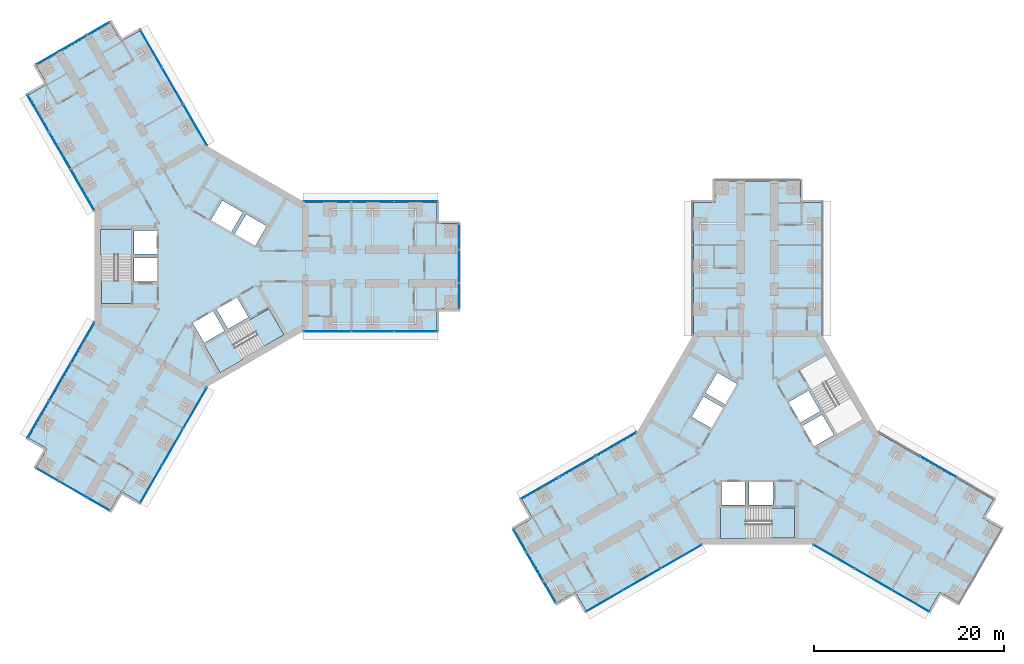
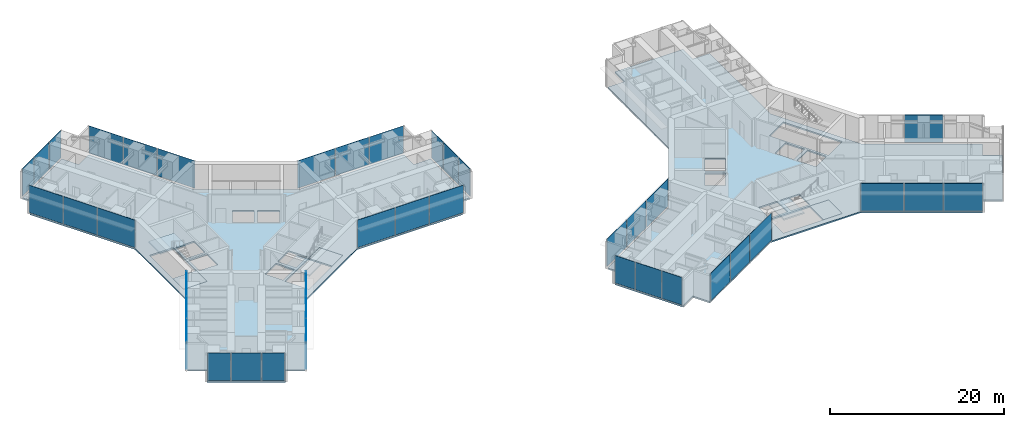
# One storey, part 14 of 24: 40 plates, 8 slabs, 17 elements without a shape of their own.
"""IFC4 building model written with IfcOpenShell, lengths in metres."""

from ifc_helpers import new_model, si_unit, direction, frame, origin, origin_2d, place, context, subcontext, project, spatial, polyline, rectangle, outline, extrude, material, layer, layer_set, type_object, element, aggregate, save


model = new_model("IFC4")

# Units and contexts
model_context = context("Model", 3, precision=1e-05, world=origin(), true_north=direction((0.0, 1.0)))
body_context = subcontext(model_context, "Body", "Model", "MODEL_VIEW")
ifc_project = project(units=[si_unit("LENGTHUNIT", "METRE"), si_unit("AREAUNIT", "SQUARE_METRE"), si_unit("VOLUMEUNIT", "CUBIC_METRE"), si_unit("PLANEANGLEUNIT", "RADIAN"), si_unit("MASSUNIT", "GRAM", prefix="KILO")], contexts=[model_context])

# Site, building, storey
site_placement = place(None, origin())
site = spatial("IfcSite", under=ifc_project, at=site_placement, CompositionType="ELEMENT")
building_placement = place(site_placement, origin())
building = spatial("IfcBuilding", under=site, at=building_placement, Name="Upepo Twin Towers", CompositionType="ELEMENT")
storey_placement = place(building_placement, frame((0.0, 0.0, 56.5)))
storey = spatial("IfcBuildingStorey", under=building, at=storey_placement, Name="L13", CompositionType="ELEMENT", Elevation=56.5)

# Curtain wall, plates
ifc_material_1 = material(Name="Aluminium and fritted glass", Category="aluminium")
curtain_wall_type = type_object("IfcCurtainWallType", Name="Tower curtain wall TW1, fritted glass", PredefinedType="NOTDEFINED", material=ifc_material_1)
curtain_wall_1_placement = place(storey_placement, origin())
curtain_wall_1 = element("IfcCurtainWall", 1, at=curtain_wall_1_placement, inside=storey, type_object=curtain_wall_type, Name="T1 L13 wing A flank L curtain wall", PredefinedType="NOTDEFINED")
ifc_material_2 = material(Name="Ceramic-fritted laminated glass", Category="glass")
ifc_layer_1 = layer(ifc_material_2, 0.031982421875)
ifc_layer_set_1 = layer_set([ifc_layer_1], Name="Fritted glass panel, 25 per cent dot frit, 32 mm double glazed")
plate_type_1 = type_object("IfcPlateType", Name="Fritted glass panel, 25 per cent dot frit, 32 mm double glazed", PredefinedType="CURTAIN_PANEL", material=ifc_layer_set_1)
plate_1_placement = place(storey_placement, frame((13.23486328125, 6.85009765625, 0.14990234375), z_axis=(0.0, 0.0, 1.0), x_axis=(1.0, 0.0, 0.0)))
plate_1 = element("IfcPlate", 2, at=plate_1_placement, type_object=plate_type_1, Name="T1 L13 wing A flank L curtain wall panel 1", PredefinedType="CURTAIN_PANEL", context=body_context, shape_type="SweptSolid", body=[
    extrude(rectangle(XDim=4.96533203125, YDim=0.031982421875, at=origin_2d()), origin(), (0.0, 0.0, 1.0), 3.85009765625),
])
plate_2_placement = place(storey_placement, frame((18.0, 6.85009765625, 0.14990234375), z_axis=(0.0, 0.0, 1.0), x_axis=(1.0, 0.0, 0.0)))
plate_2 = element("IfcPlate", 3, at=plate_2_placement, type_object=plate_type_1, Name="T1 L13 wing A flank L curtain wall panel 2", PredefinedType="CURTAIN_PANEL", context=body_context, shape_type="SweptSolid", body=[
    extrude(rectangle(XDim=4.43505859375, YDim=0.031982421875, at=origin_2d()), origin(), (0.0, 0.0, 1.0), 3.85009765625),
])
plate_3_placement = place(storey_placement, frame((22.53369140625, 6.85009765625, 0.14990234375), z_axis=(0.0, 0.0, 1.0), x_axis=(1.0, 0.0, 0.0)))
plate_3 = element("IfcPlate", 4, at=plate_3_placement, type_object=plate_type_1, Name="T1 L13 wing A flank L curtain wall panel 3", PredefinedType="CURTAIN_PANEL", context=body_context, shape_type="SweptSolid", body=[
    extrude(rectangle(XDim=4.50244140625, YDim=0.031982421875, at=origin_2d()), origin(), (0.0, 0.0, 1.0), 3.85009765625),
])
aggregate(curtain_wall_1, [plate_1, plate_2, plate_3])

curtain_wall_2_placement = place(storey_placement, origin())
curtain_wall_2 = element("IfcCurtainWall", 5, at=curtain_wall_2_placement, inside=storey, type_object=curtain_wall_type, Name="T1 L13 wing A flank R curtain wall", PredefinedType="NOTDEFINED")
plate_4_placement = place(storey_placement, frame((22.53369140625, -6.85009765625, 0.14990234375), z_axis=(0.0, 0.0, 1.0), x_axis=(-1.0, 0.0, 0.0)))
plate_4 = element("IfcPlate", 6, at=plate_4_placement, type_object=plate_type_1, Name="T1 L13 wing A flank R curtain wall panel 1", PredefinedType="CURTAIN_PANEL", context=body_context, shape_type="SweptSolid", body=[
    extrude(rectangle(XDim=4.50244140625, YDim=0.031982421875, at=origin_2d()), origin(), (0.0, 0.0, 1.0), 3.85009765625),
])
plate_5_placement = place(storey_placement, frame((18.0, -6.85009765625, 0.14990234375), z_axis=(0.0, 0.0, 1.0), x_axis=(-1.0, 0.0, 0.0)))
plate_5 = element("IfcPlate", 7, at=plate_5_placement, type_object=plate_type_1, Name="T1 L13 wing A flank R curtain wall panel 2", PredefinedType="CURTAIN_PANEL", context=body_context, shape_type="SweptSolid", body=[
    extrude(rectangle(XDim=4.43505859375, YDim=0.031982421875, at=origin_2d()), origin(), (0.0, 0.0, 1.0), 3.85009765625),
])
plate_6_placement = place(storey_placement, frame((13.23486328125, -6.85009765625, 0.14990234375), z_axis=(0.0, 0.0, 1.0), x_axis=(-1.0, 0.0, 0.0)))
plate_6 = element("IfcPlate", 8, at=plate_6_placement, type_object=plate_type_1, Name="T1 L13 wing A flank R curtain wall panel 3", PredefinedType="CURTAIN_PANEL", context=body_context, shape_type="SweptSolid", body=[
    extrude(rectangle(XDim=4.96533203125, YDim=0.031982421875, at=origin_2d()), origin(), (0.0, 0.0, 1.0), 3.85009765625),
])
aggregate(curtain_wall_2, [plate_4, plate_5, plate_6])

# Curtain wall, plate
curtain_wall_3_placement = place(storey_placement, origin())
curtain_wall_3 = element("IfcCurtainWall", 9, at=curtain_wall_3_placement, inside=storey, type_object=curtain_wall_type, Name="T1 L13 wing A nose curtain wall", PredefinedType="NOTDEFINED")
plate_7_placement = place(storey_placement, frame((27.10009765625, 0.0, 0.14990234375), z_axis=(0.0, 0.0, 1.0), x_axis=(0.0, 1.0, 0.0)))
plate_7 = element("IfcPlate", 10, at=plate_7_placement, type_object=plate_type_1, Name="T1 L13 wing A nose curtain wall panel 2", PredefinedType="CURTAIN_PANEL", context=body_context, shape_type="SweptSolid", body=[
    extrude(rectangle(XDim=3.43505859375, YDim=0.031982421875, at=origin_2d()), origin(), (0.0, 0.0, 1.0), 3.85009765625),
])

# Curtain wall, plates
curtain_wall_4_placement = place(storey_placement, origin())
curtain_wall_4 = element("IfcCurtainWall", 11, at=curtain_wall_4_placement, inside=storey, type_object=curtain_wall_type, Name="T1 L13 wing B flank L curtain wall", PredefinedType="NOTDEFINED")
plate_8_placement = place(storey_placement, frame((-12.549560546875, 8.03662109375, 0.14990234375), z_axis=(0.0, 0.0, 1.0), x_axis=(-0.500000024426, 0.866025389682, 0.0)))
plate_8 = element("IfcPlate", 12, at=plate_8_placement, type_object=plate_type_1, Name="T1 L13 wing B flank L curtain wall panel 1", PredefinedType="CURTAIN_PANEL", context=body_context, shape_type="SweptSolid", body=[
    extrude(rectangle(XDim=4.96533203125, YDim=0.031982421875, at=origin_2d()), origin(), (0.0, 0.0, 1.0), 3.85009765625),
])
plate_9_placement = place(storey_placement, frame((-14.932373046875, 12.16357421875, 0.14990234375), z_axis=(0.0, 0.0, 1.0), x_axis=(-0.500000024426, 0.866025389682, 0.0)))
plate_9 = element("IfcPlate", 13, at=plate_9_placement, type_object=plate_type_1, Name="T1 L13 wing B flank L curtain wall panel 2", PredefinedType="CURTAIN_PANEL", context=body_context, shape_type="SweptSolid", body=[
    extrude(rectangle(XDim=4.43505859375, YDim=0.031982421875, at=origin_2d()), origin(), (0.0, 0.0, 1.0), 3.85009765625),
])
plate_10_placement = place(storey_placement, frame((-17.19921875, 16.08984375, 0.14990234375), z_axis=(0.0, 0.0, 1.0), x_axis=(-0.500000024426, 0.866025389682, 0.0)))
plate_10 = element("IfcPlate", 14, at=plate_10_placement, type_object=plate_type_1, Name="T1 L13 wing B flank L curtain wall panel 3", PredefinedType="CURTAIN_PANEL", context=body_context, shape_type="SweptSolid", body=[
    extrude(rectangle(XDim=4.50244140625, YDim=0.031982421875, at=origin_2d()), origin(), (0.0, 0.0, 1.0), 3.85009765625),
])
aggregate(curtain_wall_4, [plate_8, plate_9, plate_10])

curtain_wall_5_placement = place(storey_placement, origin())
curtain_wall_5 = element("IfcCurtainWall", 15, at=curtain_wall_5_placement, inside=storey, type_object=curtain_wall_type, Name="T1 L13 wing B flank R curtain wall", PredefinedType="NOTDEFINED")
plate_11_placement = place(storey_placement, frame((-5.334716796875, 22.939697265625, 0.14990234375), z_axis=(0.0, 0.0, 1.0), x_axis=(0.500000024426, -0.866025389682, 0.0)))
plate_11 = element("IfcPlate", 16, at=plate_11_placement, type_object=plate_type_1, Name="T1 L13 wing B flank R curtain wall panel 1", PredefinedType="CURTAIN_PANEL", context=body_context, shape_type="SweptSolid", body=[
    extrude(rectangle(XDim=4.50244140625, YDim=0.031982421875, at=origin_2d()), origin(), (0.0, 0.0, 1.0), 3.85009765625),
])
plate_12_placement = place(storey_placement, frame((-3.067626953125, 19.013427734375, 0.14990234375), z_axis=(0.0, 0.0, 1.0), x_axis=(0.500000024426, -0.866025389682, 0.0)))
plate_12 = element("IfcPlate", 17, at=plate_12_placement, type_object=plate_type_1, Name="T1 L13 wing B flank R curtain wall panel 2", PredefinedType="CURTAIN_PANEL", context=body_context, shape_type="SweptSolid", body=[
    extrude(rectangle(XDim=4.43505859375, YDim=0.031982421875, at=origin_2d()), origin(), (0.0, 0.0, 1.0), 3.85009765625),
])
plate_13_placement = place(storey_placement, frame((-0.68505859375, 14.88671875, 0.14990234375), z_axis=(0.0, 0.0, 1.0), x_axis=(0.500000024426, -0.866025389682, 0.0)))
plate_13 = element("IfcPlate", 18, at=plate_13_placement, type_object=plate_type_1, Name="T1 L13 wing B flank R curtain wall panel 3", PredefinedType="CURTAIN_PANEL", context=body_context, shape_type="SweptSolid", body=[
    extrude(rectangle(XDim=4.96533203125, YDim=0.031982421875, at=origin_2d()), origin(), (0.0, 0.0, 1.0), 3.85009765625),
])
aggregate(curtain_wall_5, [plate_11, plate_12, plate_13])

# Curtain wall, plate
curtain_wall_6_placement = place(storey_placement, origin())
curtain_wall_6 = element("IfcCurtainWall", 19, at=curtain_wall_6_placement, inside=storey, type_object=curtain_wall_type, Name="T1 L13 wing B nose curtain wall", PredefinedType="NOTDEFINED")
plate_14_placement = place(storey_placement, frame((-13.550048828125, 23.46923828125, 0.14990234375), z_axis=(0.0, 0.0, 1.0), x_axis=(-0.866025386174, -0.500000030502, 0.0)))
plate_14 = element("IfcPlate", 20, at=plate_14_placement, type_object=plate_type_1, Name="T1 L13 wing B nose curtain wall panel 2", PredefinedType="CURTAIN_PANEL", context=body_context, shape_type="SweptSolid", body=[
    extrude(rectangle(XDim=3.43505859375, YDim=0.031982421875, at=origin_2d()), origin(), (0.0, 0.0, 1.0), 3.85009765625),
])

# Curtain wall, plates
curtain_wall_7_placement = place(storey_placement, origin())
curtain_wall_7 = element("IfcCurtainWall", 21, at=curtain_wall_7_placement, inside=storey, type_object=curtain_wall_type, Name="T1 L13 wing C flank L curtain wall", PredefinedType="NOTDEFINED")
plate_15_placement = place(storey_placement, frame((-0.68505859375, -14.88671875, 0.14990234375), z_axis=(0.0, 0.0, 1.0), x_axis=(-0.500000024426, -0.866025389682, 0.0)))
plate_15 = element("IfcPlate", 22, at=plate_15_placement, type_object=plate_type_1, Name="T1 L13 wing C flank L curtain wall panel 1", PredefinedType="CURTAIN_PANEL", context=body_context, shape_type="SweptSolid", body=[
    extrude(rectangle(XDim=4.96533203125, YDim=0.031982421875, at=origin_2d()), origin(), (0.0, 0.0, 1.0), 3.85009765625),
])
plate_16_placement = place(storey_placement, frame((-3.067626953125, -19.013427734375, 0.14990234375), z_axis=(0.0, 0.0, 1.0), x_axis=(-0.500000024426, -0.866025389682, 0.0)))
plate_16 = element("IfcPlate", 23, at=plate_16_placement, type_object=plate_type_1, Name="T1 L13 wing C flank L curtain wall panel 2", PredefinedType="CURTAIN_PANEL", context=body_context, shape_type="SweptSolid", body=[
    extrude(rectangle(XDim=4.43505859375, YDim=0.031982421875, at=origin_2d()), origin(), (0.0, 0.0, 1.0), 3.85009765625),
])
plate_17_placement = place(storey_placement, frame((-5.334716796875, -22.939697265625, 0.14990234375), z_axis=(0.0, 0.0, 1.0), x_axis=(-0.500000024426, -0.866025389682, 0.0)))
plate_17 = element("IfcPlate", 24, at=plate_17_placement, type_object=plate_type_1, Name="T1 L13 wing C flank L curtain wall panel 3", PredefinedType="CURTAIN_PANEL", context=body_context, shape_type="SweptSolid", body=[
    extrude(rectangle(XDim=4.50244140625, YDim=0.031982421875, at=origin_2d()), origin(), (0.0, 0.0, 1.0), 3.85009765625),
])
aggregate(curtain_wall_7, [plate_15, plate_16, plate_17])

curtain_wall_8_placement = place(storey_placement, origin())
curtain_wall_8 = element("IfcCurtainWall", 25, at=curtain_wall_8_placement, inside=storey, type_object=curtain_wall_type, Name="T1 L13 wing C flank R curtain wall", PredefinedType="NOTDEFINED")
plate_18_placement = place(storey_placement, frame((-17.19921875, -16.08984375, 0.14990234375), z_axis=(0.0, 0.0, 1.0), x_axis=(0.500000024426, 0.866025389682, 0.0)))
plate_18 = element("IfcPlate", 26, at=plate_18_placement, type_object=plate_type_1, Name="T1 L13 wing C flank R curtain wall panel 1", PredefinedType="CURTAIN_PANEL", context=body_context, shape_type="SweptSolid", body=[
    extrude(rectangle(XDim=4.50244140625, YDim=0.031982421875, at=origin_2d()), origin(), (0.0, 0.0, 1.0), 3.85009765625),
])
plate_19_placement = place(storey_placement, frame((-14.932373046875, -12.16357421875, 0.14990234375), z_axis=(0.0, 0.0, 1.0), x_axis=(0.500000024426, 0.866025389682, 0.0)))
plate_19 = element("IfcPlate", 27, at=plate_19_placement, type_object=plate_type_1, Name="T1 L13 wing C flank R curtain wall panel 2", PredefinedType="CURTAIN_PANEL", context=body_context, shape_type="SweptSolid", body=[
    extrude(rectangle(XDim=4.43505859375, YDim=0.031982421875, at=origin_2d()), origin(), (0.0, 0.0, 1.0), 3.85009765625),
])
plate_20_placement = place(storey_placement, frame((-12.549560546875, -8.03662109375, 0.14990234375), z_axis=(0.0, 0.0, 1.0), x_axis=(0.500000024426, 0.866025389682, 0.0)))
plate_20 = element("IfcPlate", 28, at=plate_20_placement, type_object=plate_type_1, Name="T1 L13 wing C flank R curtain wall panel 3", PredefinedType="CURTAIN_PANEL", context=body_context, shape_type="SweptSolid", body=[
    extrude(rectangle(XDim=4.96533203125, YDim=0.031982421875, at=origin_2d()), origin(), (0.0, 0.0, 1.0), 3.85009765625),
])
aggregate(curtain_wall_8, [plate_18, plate_19, plate_20])

# Curtain wall, plate
curtain_wall_9_placement = place(storey_placement, origin())
curtain_wall_9 = element("IfcCurtainWall", 29, at=curtain_wall_9_placement, inside=storey, type_object=curtain_wall_type, Name="T1 L13 wing C nose curtain wall", PredefinedType="NOTDEFINED")
plate_21_placement = place(storey_placement, frame((-13.550048828125, -23.46923828125, 0.14990234375), z_axis=(0.0, 0.0, 1.0), x_axis=(0.866025386174, -0.500000030502, 0.0)))
plate_21 = element("IfcPlate", 30, at=plate_21_placement, type_object=plate_type_1, Name="T1 L13 wing C nose curtain wall panel 2", PredefinedType="CURTAIN_PANEL", context=body_context, shape_type="SweptSolid", body=[
    extrude(rectangle(XDim=3.43505859375, YDim=0.031982421875, at=origin_2d()), origin(), (0.0, 0.0, 1.0), 3.85009765625),
])

# Curtain wall, plates
curtain_wall_10_placement = place(storey_placement, origin())
curtain_wall_10 = element("IfcCurtainWall", 31, at=curtain_wall_10_placement, inside=storey, type_object=curtain_wall_type, Name="T2 L13 wing B flank L curtain wall", PredefinedType="NOTDEFINED")
plate_22_placement = place(storey_placement, frame((50.46337890625, -30.549560546875, 0.14990234375), z_axis=(0.0, 0.0, 1.0), x_axis=(-0.866025389682, -0.500000024426, 0.0)))
plate_22 = element("IfcPlate", 32, at=plate_22_placement, type_object=plate_type_1, Name="T2 L13 wing B flank L curtain wall panel 1", PredefinedType="CURTAIN_PANEL", context=body_context, shape_type="SweptSolid", body=[
    extrude(rectangle(XDim=4.96533203125, YDim=0.031982421875, at=origin_2d()), origin(), (0.0, 0.0, 1.0), 3.85009765625),
])
plate_23_placement = place(storey_placement, frame((46.33642578125, -32.932373046875, 0.14990234375), z_axis=(0.0, 0.0, 1.0), x_axis=(-0.866025389682, -0.500000024426, 0.0)))
plate_23 = element("IfcPlate", 33, at=plate_23_placement, type_object=plate_type_1, Name="T2 L13 wing B flank L curtain wall panel 2", PredefinedType="CURTAIN_PANEL", context=body_context, shape_type="SweptSolid", body=[
    extrude(rectangle(XDim=4.43505859375, YDim=0.031982421875, at=origin_2d()), origin(), (0.0, 0.0, 1.0), 3.85009765625),
])
plate_24_placement = place(storey_placement, frame((42.41015625, -35.19921875, 0.14990234375), z_axis=(0.0, 0.0, 1.0), x_axis=(-0.866025389682, -0.500000024426, 0.0)))
plate_24 = element("IfcPlate", 34, at=plate_24_placement, type_object=plate_type_1, Name="T2 L13 wing B flank L curtain wall panel 3", PredefinedType="CURTAIN_PANEL", context=body_context, shape_type="SweptSolid", body=[
    extrude(rectangle(XDim=4.50244140625, YDim=0.031982421875, at=origin_2d()), origin(), (0.0, 0.0, 1.0), 3.85009765625),
])
aggregate(curtain_wall_10, [plate_22, plate_23, plate_24])

curtain_wall_11_placement = place(storey_placement, origin())
curtain_wall_11 = element("IfcCurtainWall", 35, at=curtain_wall_11_placement, inside=storey, type_object=curtain_wall_type, Name="T2 L13 wing B flank R curtain wall", PredefinedType="NOTDEFINED")
plate_25_placement = place(storey_placement, frame((35.560302734375, -23.334716796875, 0.14990234375), z_axis=(0.0, 0.0, 1.0), x_axis=(0.866025389682, 0.500000024426, 0.0)))
plate_25 = element("IfcPlate", 36, at=plate_25_placement, type_object=plate_type_1, Name="T2 L13 wing B flank R curtain wall panel 1", PredefinedType="CURTAIN_PANEL", context=body_context, shape_type="SweptSolid", body=[
    extrude(rectangle(XDim=4.50244140625, YDim=0.031982421875, at=origin_2d()), origin(), (0.0, 0.0, 1.0), 3.85009765625),
])
plate_26_placement = place(storey_placement, frame((39.486572265625, -21.067626953125, 0.14990234375), z_axis=(0.0, 0.0, 1.0), x_axis=(0.866025389682, 0.500000024426, 0.0)))
plate_26 = element("IfcPlate", 37, at=plate_26_placement, type_object=plate_type_1, Name="T2 L13 wing B flank R curtain wall panel 2", PredefinedType="CURTAIN_PANEL", context=body_context, shape_type="SweptSolid", body=[
    extrude(rectangle(XDim=4.43505859375, YDim=0.031982421875, at=origin_2d()), origin(), (0.0, 0.0, 1.0), 3.85009765625),
])
plate_27_placement = place(storey_placement, frame((43.61328125, -18.68505859375, 0.14990234375), z_axis=(0.0, 0.0, 1.0), x_axis=(0.866025389682, 0.500000024426, 0.0)))
plate_27 = element("IfcPlate", 38, at=plate_27_placement, type_object=plate_type_1, Name="T2 L13 wing B flank R curtain wall panel 3", PredefinedType="CURTAIN_PANEL", context=body_context, shape_type="SweptSolid", body=[
    extrude(rectangle(XDim=4.96533203125, YDim=0.031982421875, at=origin_2d()), origin(), (0.0, 0.0, 1.0), 3.85009765625),
])
aggregate(curtain_wall_11, [plate_25, plate_26, plate_27])

# Curtain wall, plate
curtain_wall_12_placement = place(storey_placement, origin())
curtain_wall_12 = element("IfcCurtainWall", 39, at=curtain_wall_12_placement, inside=storey, type_object=curtain_wall_type, Name="T2 L13 wing B nose curtain wall", PredefinedType="NOTDEFINED")
plate_28_placement = place(storey_placement, frame((35.03076171875, -31.550048828125, 0.14990234375), z_axis=(0.0, 0.0, 1.0), x_axis=(0.500000030502, -0.866025386174, 0.0)))
plate_28 = element("IfcPlate", 40, at=plate_28_placement, type_object=plate_type_1, Name="T2 L13 wing B nose curtain wall panel 2", PredefinedType="CURTAIN_PANEL", context=body_context, shape_type="SweptSolid", body=[
    extrude(rectangle(XDim=3.43505859375, YDim=0.031982421875, at=origin_2d()), origin(), (0.0, 0.0, 1.0), 3.85009765625),
])

curtain_wall_13_placement = place(storey_placement, origin())
curtain_wall_13 = element("IfcCurtainWall", 41, at=curtain_wall_13_placement, inside=storey, type_object=curtain_wall_type, Name="T2 L13 wing C flank L curtain wall", PredefinedType="NOTDEFINED")
plate_29_placement = place(storey_placement, frame((77.513427734375, -21.067626953125, 0.14990234375), z_axis=(0.0, 0.0, 1.0), x_axis=(0.866025389682, -0.500000024426, 0.0)))
plate_29 = element("IfcPlate", 42, at=plate_29_placement, type_object=plate_type_1, Name="T2 L13 wing C flank L curtain wall panel 2", PredefinedType="CURTAIN_PANEL", context=body_context, shape_type="SweptSolid", body=[
    extrude(rectangle(XDim=4.43505859375, YDim=0.031982421875, at=origin_2d()), origin(), (0.0, 0.0, 1.0), 3.85009765625),
])
aggregate(curtain_wall_13, [plate_29])

# Curtain wall, plates
curtain_wall_14_placement = place(storey_placement, origin())
curtain_wall_14 = element("IfcCurtainWall", 43, at=curtain_wall_14_placement, inside=storey, type_object=curtain_wall_type, Name="T2 L13 wing C flank R curtain wall", PredefinedType="NOTDEFINED")
plate_30_placement = place(storey_placement, frame((74.58984375, -35.19921875, 0.14990234375), z_axis=(0.0, 0.0, 1.0), x_axis=(-0.866025389682, 0.500000024426, 0.0)))
plate_30 = element("IfcPlate", 44, at=plate_30_placement, type_object=plate_type_1, Name="T2 L13 wing C flank R curtain wall panel 1", PredefinedType="CURTAIN_PANEL", context=body_context, shape_type="SweptSolid", body=[
    extrude(rectangle(XDim=4.50244140625, YDim=0.031982421875, at=origin_2d()), origin(), (0.0, 0.0, 1.0), 3.85009765625),
])
plate_31_placement = place(storey_placement, frame((70.66357421875, -32.932373046875, 0.14990234375), z_axis=(0.0, 0.0, 1.0), x_axis=(-0.866025389682, 0.500000024426, 0.0)))
plate_31 = element("IfcPlate", 45, at=plate_31_placement, type_object=plate_type_1, Name="T2 L13 wing C flank R curtain wall panel 2", PredefinedType="CURTAIN_PANEL", context=body_context, shape_type="SweptSolid", body=[
    extrude(rectangle(XDim=4.43505859375, YDim=0.031982421875, at=origin_2d()), origin(), (0.0, 0.0, 1.0), 3.85009765625),
])
plate_32_placement = place(storey_placement, frame((66.53662109375, -30.549560546875, 0.14990234375), z_axis=(0.0, 0.0, 1.0), x_axis=(-0.866025389682, 0.500000024426, 0.0)))
plate_32 = element("IfcPlate", 46, at=plate_32_placement, type_object=plate_type_1, Name="T2 L13 wing C flank R curtain wall panel 3", PredefinedType="CURTAIN_PANEL", context=body_context, shape_type="SweptSolid", body=[
    extrude(rectangle(XDim=4.96533203125, YDim=0.031982421875, at=origin_2d()), origin(), (0.0, 0.0, 1.0), 3.85009765625),
])
aggregate(curtain_wall_14, [plate_30, plate_31, plate_32])

# Plate
ifc_material_3 = material(Name="Clear laminated glass in opening sash", Category="glass")
ifc_layer_2 = layer(ifc_material_3, 0.031982421875)
ifc_layer_set_2 = layer_set([ifc_layer_2], Name="Operable glass panel, 32 mm double glazed")
plate_type_2 = type_object("IfcPlateType", Name="Operable glass panel, 32 mm double glazed", PredefinedType="CURTAIN_PANEL", material=ifc_layer_set_2)
plate_33_placement = place(storey_placement, frame((27.10009765625, -3.108642578125, 0.14990234375), z_axis=(0.0, 0.0, 1.0), x_axis=(0.0, 1.0, 0.0)))
plate_33 = element("IfcPlate", 47, at=plate_33_placement, type_object=plate_type_2, Name="T1 L13 wing A nose curtain wall panel 1", PredefinedType="CURTAIN_PANEL", context=body_context, shape_type="SweptSolid", body=[
    extrude(rectangle(XDim=2.652587890625, YDim=0.031982421875, at=origin_2d()), origin(), (0.0, 0.0, 1.0), 3.85009765625),
])

plate_34_placement = place(storey_placement, frame((27.10009765625, 3.108642578125, 0.14990234375), z_axis=(0.0, 0.0, 1.0), x_axis=(0.0, 1.0, 0.0)))
plate_34 = element("IfcPlate", 48, at=plate_34_placement, type_object=plate_type_2, Name="T1 L13 wing A nose curtain wall panel 3", PredefinedType="CURTAIN_PANEL", context=body_context, shape_type="SweptSolid", body=[
    extrude(rectangle(XDim=2.652587890625, YDim=0.031982421875, at=origin_2d()), origin(), (0.0, 0.0, 1.0), 3.85009765625),
])

aggregate(curtain_wall_3, [plate_33, plate_7, plate_34])

plate_35_placement = place(storey_placement, frame((-10.857666015625, 25.023681640625, 0.14990234375), z_axis=(0.0, 0.0, 1.0), x_axis=(-0.866025386174, -0.500000030502, 0.0)))
plate_35 = element("IfcPlate", 49, at=plate_35_placement, type_object=plate_type_2, Name="T1 L13 wing B nose curtain wall panel 1", PredefinedType="CURTAIN_PANEL", context=body_context, shape_type="SweptSolid", body=[
    extrude(rectangle(XDim=2.652587890625, YDim=0.031982421875, at=origin_2d()), origin(), (0.0, 0.0, 1.0), 3.85009765625),
])

plate_36_placement = place(storey_placement, frame((-16.2421875, 21.914794921875, 0.14990234375), z_axis=(0.0, 0.0, 1.0), x_axis=(-0.866025386174, -0.500000030502, 0.0)))
plate_36 = element("IfcPlate", 50, at=plate_36_placement, type_object=plate_type_2, Name="T1 L13 wing B nose curtain wall panel 3", PredefinedType="CURTAIN_PANEL", context=body_context, shape_type="SweptSolid", body=[
    extrude(rectangle(XDim=2.652587890625, YDim=0.031982421875, at=origin_2d()), origin(), (0.0, 0.0, 1.0), 3.85009765625),
])

aggregate(curtain_wall_6, [plate_35, plate_14, plate_36])

plate_37_placement = place(storey_placement, frame((-16.2421875, -21.914794921875, 0.14990234375), z_axis=(0.0, 0.0, 1.0), x_axis=(0.866025386174, -0.500000030502, 0.0)))
plate_37 = element("IfcPlate", 51, at=plate_37_placement, type_object=plate_type_2, Name="T1 L13 wing C nose curtain wall panel 1", PredefinedType="CURTAIN_PANEL", context=body_context, shape_type="SweptSolid", body=[
    extrude(rectangle(XDim=2.652587890625, YDim=0.031982421875, at=origin_2d()), origin(), (0.0, 0.0, 1.0), 3.85009765625),
])

plate_38_placement = place(storey_placement, frame((-10.857666015625, -25.023681640625, 0.14990234375), z_axis=(0.0, 0.0, 1.0), x_axis=(0.866025386174, -0.500000030502, 0.0)))
plate_38 = element("IfcPlate", 52, at=plate_38_placement, type_object=plate_type_2, Name="T1 L13 wing C nose curtain wall panel 3", PredefinedType="CURTAIN_PANEL", context=body_context, shape_type="SweptSolid", body=[
    extrude(rectangle(XDim=2.652587890625, YDim=0.031982421875, at=origin_2d()), origin(), (0.0, 0.0, 1.0), 3.85009765625),
])

aggregate(curtain_wall_9, [plate_37, plate_21, plate_38])

plate_39_placement = place(storey_placement, frame((33.476318359375, -28.857666015625, 0.14990234375), z_axis=(0.0, 0.0, 1.0), x_axis=(0.500000030502, -0.866025386174, 0.0)))
plate_39 = element("IfcPlate", 53, at=plate_39_placement, type_object=plate_type_2, Name="T2 L13 wing B nose curtain wall panel 1", PredefinedType="CURTAIN_PANEL", context=body_context, shape_type="SweptSolid", body=[
    extrude(rectangle(XDim=2.652587890625, YDim=0.031982421875, at=origin_2d()), origin(), (0.0, 0.0, 1.0), 3.85009765625),
])

plate_40_placement = place(storey_placement, frame((36.585205078125, -34.2421875, 0.14990234375), z_axis=(0.0, 0.0, 1.0), x_axis=(0.500000030502, -0.866025386174, 0.0)))
plate_40 = element("IfcPlate", 54, at=plate_40_placement, type_object=plate_type_2, Name="T2 L13 wing B nose curtain wall panel 3", PredefinedType="CURTAIN_PANEL", context=body_context, shape_type="SweptSolid", body=[
    extrude(rectangle(XDim=2.652587890625, YDim=0.031982421875, at=origin_2d()), origin(), (0.0, 0.0, 1.0), 3.85009765625),
])

aggregate(curtain_wall_12, [plate_39, plate_28, plate_40])

# Stair, slabs
ifc_material_4 = material(Name="Concrete C40/50", Category="concrete")
stair_type = type_object("IfcStairType", Name="Core stair, two flights", PredefinedType="HALF_TURN_STAIR", material=ifc_material_4)
stair_1_placement = place(storey_placement, origin())
stair_1 = element("IfcStair", 55, at=stair_1_placement, inside=storey, type_object=stair_type, Name="T1 stair S1 L13", PredefinedType="HALF_TURN_STAIR")
ifc_material_5 = material(Name="Concrete C40/50", Category="concrete")
ifc_layer_3 = layer(ifc_material_5, 0.199951171875)
ifc_layer_set_3 = layer_set([ifc_layer_3], Name="Concrete C40/50")
slab_type_1 = type_object("IfcSlabType", Name="Stair landing 200 RC", PredefinedType="LANDING", material=ifc_layer_set_3)
slab_1_placement = place(storey_placement, frame((0.0, 0.0, -0.199951171875)))
slab_1 = element("IfcSlab", 56, at=slab_1_placement, type_object=slab_type_1, Name="Stair S1 landing 1", PredefinedType="LANDING", context=body_context, shape_type="SweptSolid", body=[
    extrude(outline(polyline([(-7.39990234375, -1.419921875), (-10.558349609375, -1.419921875), (-10.558349609375, -3.89990234375), (-7.39990234375, -3.89990234375), (-7.39990234375, -1.419921875)])), origin(), (0.0, 0.0, 1.0), 0.199951171875),
])
slab_2_placement = place(storey_placement, frame((0.0, 0.0, 1.800048828125)))
slab_2 = element("IfcSlab", 57, at=slab_2_placement, type_object=slab_type_1, Name="Stair S1 landing 2", PredefinedType="LANDING", context=body_context, shape_type="SweptSolid", body=[
    extrude(outline(polyline([(-7.300048828125, 3.89990234375), (-10.658447265625, 3.89990234375), (-10.658447265625, 1.179931640625), (-7.300048828125, 1.179931640625), (-7.300048828125, 3.89990234375)])), origin(), (0.0, 0.0, 1.0), 0.199951171875),
])
aggregate(stair_1, [slab_1, slab_2])

stair_2_placement = place(storey_placement, origin())
stair_2 = element("IfcStair", 58, at=stair_2_placement, inside=storey, type_object=stair_type, Name="T1 stair S2 L13", PredefinedType="HALF_TURN_STAIR")
slab_3_placement = place(storey_placement, frame((0.0, 0.0, -0.199951171875)))
slab_3 = element("IfcSlab", 59, at=slab_3_placement, type_object=slab_type_1, Name="Stair S2 landing 1", PredefinedType="LANDING", context=body_context, shape_type="SweptSolid", body=[
    extrude(outline(polyline([(4.9296875, -5.698486328125), (6.509033203125, -8.433837890625), (8.65673828125, -7.19384765625), (7.077392578125, -4.45849609375), (4.9296875, -5.698486328125)])), origin(), (0.0, 0.0, 1.0), 0.199951171875),
])
slab_4_placement = place(storey_placement, frame((0.0, 0.0, 1.800048828125)))
slab_4 = element("IfcSlab", 60, at=slab_4_placement, type_object=slab_type_1, Name="Stair S2 landing 2", PredefinedType="LANDING", context=body_context, shape_type="SweptSolid", body=[
    extrude(outline(polyline([(0.2724609375, -8.27197265625), (1.95166015625, -11.180419921875), (4.307373046875, -9.8203125), (2.628173828125, -6.911865234375), (0.2724609375, -8.27197265625)])), origin(), (0.0, 0.0, 1.0), 0.199951171875),
])
aggregate(stair_2, [slab_3, slab_4])

stair_3_placement = place(storey_placement, origin())
stair_3 = element("IfcStair", 61, at=stair_3_placement, inside=storey, type_object=stair_type, Name="T2 stair S1 L13", PredefinedType="HALF_TURN_STAIR")
slab_5_placement = place(storey_placement, frame((0.0, 0.0, -0.199951171875)))
slab_5 = element("IfcSlab", 62, at=slab_5_placement, type_object=slab_type_1, Name="Stair S1 landing 1", PredefinedType="LANDING", context=body_context, shape_type="SweptSolid", body=[
    extrude(outline(polyline([(59.919921875, -25.39990234375), (59.919921875, -28.558349609375), (62.39990234375, -28.558349609375), (62.39990234375, -25.39990234375), (59.919921875, -25.39990234375)])), origin(), (0.0, 0.0, 1.0), 0.199951171875),
])
slab_6_placement = place(storey_placement, frame((0.0, 0.0, 1.800048828125)))
slab_6 = element("IfcSlab", 63, at=slab_6_placement, type_object=slab_type_1, Name="Stair S1 landing 2", PredefinedType="LANDING", context=body_context, shape_type="SweptSolid", body=[
    extrude(outline(polyline([(54.60009765625, -25.300048828125), (54.60009765625, -28.658447265625), (57.320068359375, -28.658447265625), (57.320068359375, -25.300048828125), (54.60009765625, -25.300048828125)])), origin(), (0.0, 0.0, 1.0), 0.199951171875),
])
aggregate(stair_3, [slab_5, slab_6])

# Slabs
ifc_material_6 = material(Name="Concrete C40/50", Category="concrete")
ifc_layer_4 = layer(ifc_material_6, 0.199951171875)
ifc_layer_set_4 = layer_set([ifc_layer_4], Name="Concrete C40/50")
slab_type_2 = type_object("IfcSlabType", Name="Tower floor slab 200 RC", PredefinedType="FLOOR", material=ifc_layer_set_4)
slab_7_placement = place(storey_placement, frame((0.0, 0.0, -0.199951171875)))
element("IfcSlab", 64, at=slab_7_placement, inside=storey, type_object=slab_type_2, Name="T1 L13 floor slab", PredefinedType="FLOOR", context=body_context, shape_type="SweptSolid", body=[
    extrude(outline(polyline([(-8.477783203125, -23.68408203125), (-9.602783203125, -25.632568359375), (-17.397216796875, -21.132568359375), (-16.272216796875, -19.18408203125), (-18.220703125, -18.05908203125), (-11.25830078125, -6.0), (-11.25830078125, 6.0), (-18.220703125, 18.05908203125), (-16.272216796875, 19.18408203125), (-17.397216796875, 21.132568359375), (-9.602783203125, 25.632568359375), (-8.477783203125, 23.68408203125), (-6.529296875, 24.80908203125), (0.43310546875, 12.75), (10.825439453125, 6.75), (24.75, 6.75), (24.75, 4.5), (27.0, 4.5), (27.0, -4.5), (24.75, -4.5), (24.75, -6.75), (10.825439453125, -6.75), (0.43310546875, -12.75), (-6.529296875, -24.80908203125), (-8.477783203125, -23.68408203125)]), holes=[polyline([(5.640869140625, 2.17041015625), (6.8408203125, 4.248779296875), (4.67578125, 5.498779296875), (3.475830078125, 3.42041015625), (5.640869140625, 2.17041015625)]), polyline([(3.12939453125, 3.620361328125), (4.329345703125, 5.69873046875), (2.164306640625, 6.94873046875), (0.96435546875, 4.870361328125), (3.12939453125, 3.620361328125)]), polyline([(-4.699951171875, 3.800048828125), (-7.10009765625, 3.800048828125), (-7.10009765625, 1.300048828125), (-4.699951171875, 1.300048828125), (-4.699951171875, 3.800048828125)]), polyline([(-4.699951171875, 0.89990234375), (-7.10009765625, 0.89990234375), (-7.10009765625, -1.60009765625), (-4.699951171875, -1.60009765625), (-4.699951171875, 0.89990234375)]), polyline([(-7.39990234375, 3.89990234375), (-10.558349609375, 3.89990234375), (-10.558349609375, -3.89990234375), (-7.39990234375, -3.89990234375), (-7.39990234375, 3.89990234375)]), polyline([(-0.94091796875, -5.97021484375), (0.259033203125, -8.048828125), (2.424072265625, -6.798828125), (1.22412109375, -4.72021484375), (-0.94091796875, -5.97021484375)]), polyline([(1.570556640625, -4.520263671875), (2.7705078125, -6.598876953125), (4.935546875, -5.348876953125), (3.735595703125, -3.270263671875), (1.570556640625, -4.520263671875)]), polyline([(0.322509765625, -8.358642578125), (1.901611328125, -11.09375), (8.65673828125, -7.19384765625), (7.077392578125, -4.45849609375), (0.322509765625, -8.358642578125)])]), origin(), (0.0, 0.0, 1.0), 0.199951171875),
])
slab_8_placement = place(storey_placement, frame((0.0, 0.0, -0.199951171875)))
element("IfcSlab", 65, at=slab_8_placement, inside=storey, type_object=slab_type_2, Name="T2 L13 floor slab", PredefinedType="FLOOR", context=body_context, shape_type="SweptSolid", body=[
    extrude(outline(polyline([(82.18408203125, -26.477783203125), (84.132568359375, -27.602783203125), (79.632568359375, -35.397216796875), (77.68408203125, -34.272216796875), (76.55908203125, -36.220703125), (64.5, -29.25830078125), (52.5, -29.25830078125), (40.44091796875, -36.220703125), (39.31591796875, -34.272216796875), (37.367431640625, -35.397216796875), (32.867431640625, -27.602783203125), (34.81591796875, -26.477783203125), (33.69091796875, -24.529296875), (45.75, -17.56689453125), (51.75, -7.174560546875), (51.75, 6.75), (54.0, 6.75), (54.0, 9.0), (63.0, 9.0), (63.0, 6.75), (65.25, 6.75), (65.25, -7.174560546875), (71.25, -17.56689453125), (83.30908203125, -24.529296875), (82.18408203125, -26.477783203125)]), holes=[polyline([(56.32958984375, -12.359130859375), (54.251220703125, -11.1591796875), (53.001220703125, -13.32421875), (55.07958984375, -14.524169921875), (56.32958984375, -12.359130859375)]), polyline([(54.879638671875, -14.87060546875), (52.80126953125, -13.670654296875), (51.55126953125, -15.835693359375), (53.629638671875, -17.03564453125), (54.879638671875, -14.87060546875)]), polyline([(54.699951171875, -22.699951171875), (54.699951171875, -25.10009765625), (57.199951171875, -25.10009765625), (57.199951171875, -22.699951171875), (54.699951171875, -22.699951171875)]), polyline([(57.60009765625, -22.699951171875), (57.60009765625, -25.10009765625), (60.10009765625, -25.10009765625), (60.10009765625, -22.699951171875), (57.60009765625, -22.699951171875)]), polyline([(54.60009765625, -25.39990234375), (54.60009765625, -28.558349609375), (62.39990234375, -28.558349609375), (62.39990234375, -25.39990234375), (54.60009765625, -25.39990234375)]), polyline([(64.47021484375, -18.94091796875), (66.548828125, -17.740966796875), (65.298828125, -15.575927734375), (63.22021484375, -16.77587890625), (64.47021484375, -18.94091796875)]), polyline([(63.020263671875, -16.429443359375), (65.098876953125, -15.2294921875), (63.848876953125, -13.064453125), (61.770263671875, -14.264404296875), (63.020263671875, -16.429443359375)]), polyline([(66.858642578125, -17.677490234375), (69.59375, -16.098388671875), (65.69384765625, -9.34326171875), (62.95849609375, -10.922607421875), (66.858642578125, -17.677490234375)])]), origin(), (0.0, 0.0, 1.0), 0.199951171875),
])

save(model, "model.ifc")
